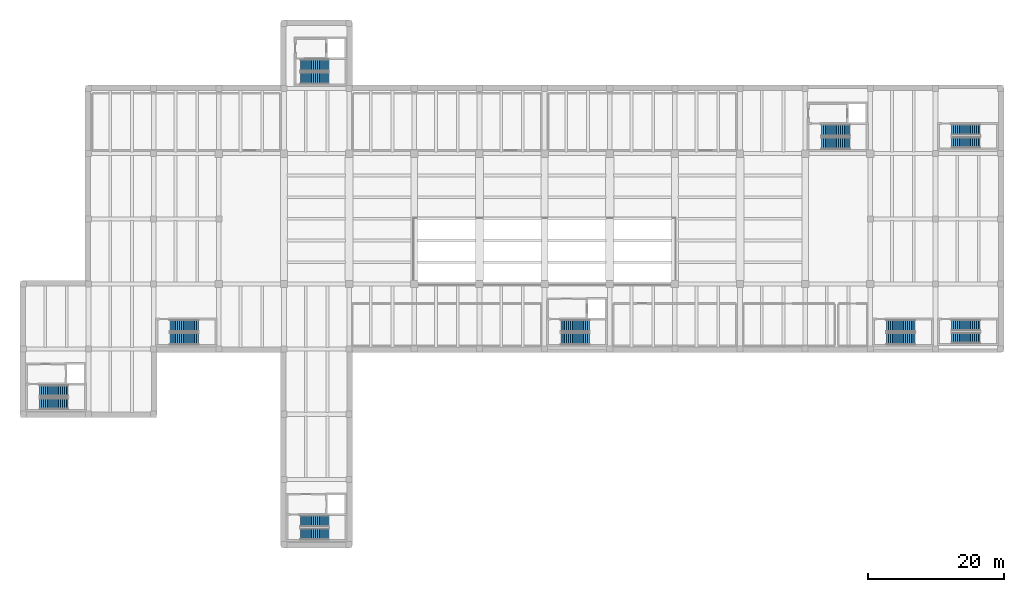
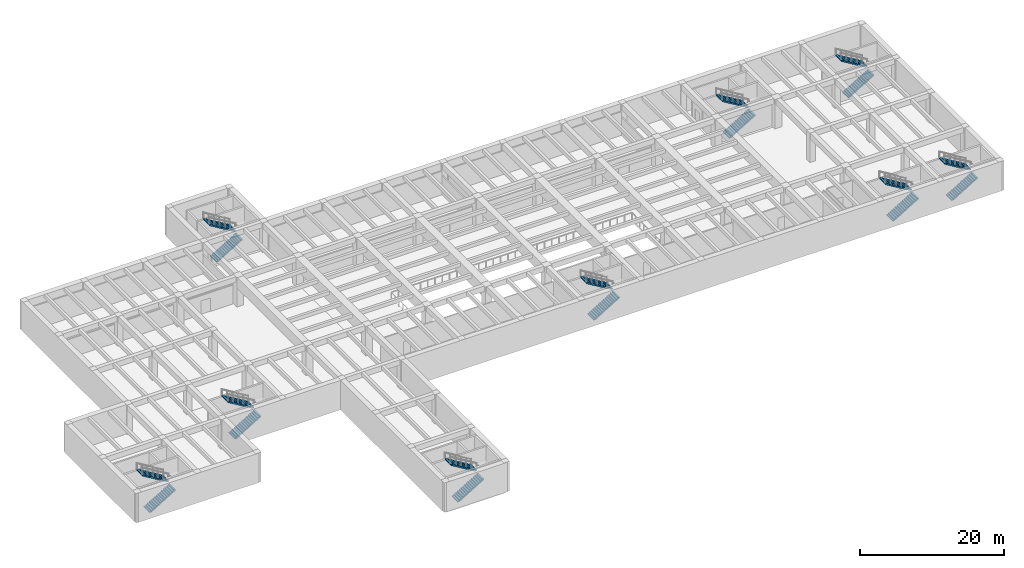
# One storey, part 11 of 19: 18 stair flights, 9 elements without a shape of their own.
"""IFC4 building model written with IfcOpenShell, lengths in metres."""

from ifc_helpers import new_model, si_unit, direction, frame, origin, place, context, subcontext, project, spatial, polyline, outline, extrude, material, type_object, element, aggregate, save


model = new_model("IFC4")

# Units and contexts
model_context = context("Model", 3, precision=1e-05, world=origin(), true_north=direction((0.0, 1.0)))
body_context = subcontext(model_context, "Body", "Model", "MODEL_VIEW")
ifc_project = project(units=[si_unit("LENGTHUNIT", "METRE"), si_unit("AREAUNIT", "SQUARE_METRE"), si_unit("VOLUMEUNIT", "CUBIC_METRE"), si_unit("PLANEANGLEUNIT", "RADIAN"), si_unit("MASSUNIT", "GRAM", prefix="KILO")], contexts=[model_context])

# Site, building, storey
site_placement = place(None, origin())
site = spatial("IfcSite", under=ifc_project, at=site_placement, CompositionType="ELEMENT")
building_placement = place(site_placement, origin())
building = spatial("IfcBuilding", under=site, at=building_placement, Name="Coralgate Yard Interchange", CompositionType="ELEMENT")
storey_placement = place(building_placement, frame((0.0, 0.0, -5.39990234375)))
storey = spatial("IfcBuildingStorey", under=building, at=storey_placement, Name="B1", CompositionType="ELEMENT", Elevation=-5.39990234375)

# Stair, stair flights
ifc_material = material(Name="Concrete C40/50", Category="concrete")
stair_type_1 = type_object("IfcStairType", Name="STR-DL-158-54", PredefinedType="HALF_TURN_STAIR", material=ifc_material)
stair_1_placement = place(storey_placement, origin())
stair_1 = element("IfcStair", 1, at=stair_1_placement, inside=storey, type_object=stair_type_1, Name="B1 Escape stair ST-10", PredefinedType="HALF_TURN_STAIR")
stair_flight_type_1 = type_object("IfcStairFlightType", Name="STF-DL-158-54", PredefinedType="STRAIGHT", material=ifc_material)
stair_flight_1_placement = place(storey_placement, frame((146.39990234375, 40.050048828125, 0.0), z_axis=(0.0, 0.0, 1.0), x_axis=(1.0, 0.0, 0.0)))
stair_flight_1 = element("IfcStairFlight", 2, at=stair_flight_1_placement, type_object=stair_flight_type_1, Name="ST-10 flight 1", NumberOfRisers=16, NumberOfTreads=15, PredefinedType="STRAIGHT", RiserHeight=0.16875, TreadLength=0.28, context=body_context, shape_type="SweptSolid", body=[
    extrude(outline(polyline([(0.0, 0.0), (0.0, 0.168701171875), (0.280029296875, 0.168701171875), (0.280029296875, 0.33740234375), (0.56005859375, 0.33740234375), (0.56005859375, 0.50634765625), (0.840087890625, 0.50634765625), (0.840087890625, 0.675048828125), (1.1201171875, 0.675048828125), (1.1201171875, 0.84375), (1.39990234375, 0.84375), (1.39990234375, 1.012451171875), (1.679931640625, 1.012451171875), (1.679931640625, 1.18115234375), (1.9599609375, 1.18115234375), (1.9599609375, 1.35009765625), (2.239990234375, 1.35009765625), (2.239990234375, 1.518798828125), (2.52001953125, 1.518798828125), (2.52001953125, 1.6875), (2.800048828125, 1.6875), (2.800048828125, 1.856201171875), (3.080078125, 1.856201171875), (3.080078125, 2.02490234375), (3.360107421875, 2.02490234375), (3.360107421875, 2.19384765625), (3.639892578125, 2.19384765625), (3.639892578125, 2.362548828125), (3.919921875, 2.362548828125), (3.919921875, 2.53125), (4.199951171875, 2.53125), (4.199951171875, 2.699951171875), (4.199951171875, 2.344482421875), (0.309814453125, 0.0), (0.0, 0.0)])), frame((0.0, 0.7900390625, 0.0), z_axis=(0.0, -1.0, 0.0), x_axis=(1.0, 0.0, 0.0)), (0.0, 0.0, 1.0), 1.580078125),
])
stair_flight_2_placement = place(storey_placement, frame((150.60009765625, 41.919921875, 2.699951171875), z_axis=(0.0, 0.0, 1.0), x_axis=(-1.0, 0.0, 0.0)))
stair_flight_2 = element("IfcStairFlight", 3, at=stair_flight_2_placement, type_object=stair_flight_type_1, Name="ST-10 flight 2", NumberOfRisers=16, NumberOfTreads=15, PredefinedType="STRAIGHT", RiserHeight=0.16875, TreadLength=0.28, context=body_context, shape_type="SweptSolid", body=[
    extrude(outline(polyline([(0.0, 0.0), (0.0, 0.168701171875), (0.280029296875, 0.168701171875), (0.280029296875, 0.33740234375), (0.56005859375, 0.33740234375), (0.56005859375, 0.50634765625), (0.840087890625, 0.50634765625), (0.840087890625, 0.675048828125), (1.1201171875, 0.675048828125), (1.1201171875, 0.84375), (1.39990234375, 0.84375), (1.39990234375, 1.012451171875), (1.679931640625, 1.012451171875), (1.679931640625, 1.18115234375), (1.9599609375, 1.18115234375), (1.9599609375, 1.35009765625), (2.239990234375, 1.35009765625), (2.239990234375, 1.518798828125), (2.52001953125, 1.518798828125), (2.52001953125, 1.6875), (2.800048828125, 1.6875), (2.800048828125, 1.856201171875), (3.080078125, 1.856201171875), (3.080078125, 2.02490234375), (3.360107421875, 2.02490234375), (3.360107421875, 2.19384765625), (3.639892578125, 2.19384765625), (3.639892578125, 2.362548828125), (3.919921875, 2.362548828125), (3.919921875, 2.53125), (4.199951171875, 2.53125), (4.199951171875, 2.699951171875), (4.199951171875, 2.344482421875), (0.309814453125, 0.0), (0.0, 0.0)])), frame((0.0, 0.7900390625, 0.0), z_axis=(0.0, -1.0, 0.0), x_axis=(1.0, 0.0, 0.0)), (0.0, 0.0, 1.0), 1.580078125),
])
aggregate(stair_1, [stair_flight_1, stair_flight_2])

stair_2_placement = place(storey_placement, origin())
stair_2 = element("IfcStair", 4, at=stair_2_placement, inside=storey, type_object=stair_type_1, Name="B1 Escape stair ST-11", PredefinedType="HALF_TURN_STAIR")
stair_flight_3_placement = place(storey_placement, frame((146.39990234375, 68.85009765625, 0.0), z_axis=(0.0, 0.0, 1.0), x_axis=(1.0, 0.0, 0.0)))
stair_flight_3 = element("IfcStairFlight", 5, at=stair_flight_3_placement, type_object=stair_flight_type_1, Name="ST-11 flight 1", NumberOfRisers=16, NumberOfTreads=15, PredefinedType="STRAIGHT", RiserHeight=0.16875, TreadLength=0.28, context=body_context, shape_type="SweptSolid", body=[
    extrude(outline(polyline([(0.0, 0.0), (0.0, 0.168701171875), (0.280029296875, 0.168701171875), (0.280029296875, 0.33740234375), (0.56005859375, 0.33740234375), (0.56005859375, 0.50634765625), (0.840087890625, 0.50634765625), (0.840087890625, 0.675048828125), (1.1201171875, 0.675048828125), (1.1201171875, 0.84375), (1.39990234375, 0.84375), (1.39990234375, 1.012451171875), (1.679931640625, 1.012451171875), (1.679931640625, 1.18115234375), (1.9599609375, 1.18115234375), (1.9599609375, 1.35009765625), (2.239990234375, 1.35009765625), (2.239990234375, 1.518798828125), (2.52001953125, 1.518798828125), (2.52001953125, 1.6875), (2.800048828125, 1.6875), (2.800048828125, 1.856201171875), (3.080078125, 1.856201171875), (3.080078125, 2.02490234375), (3.360107421875, 2.02490234375), (3.360107421875, 2.19384765625), (3.639892578125, 2.19384765625), (3.639892578125, 2.362548828125), (3.919921875, 2.362548828125), (3.919921875, 2.53125), (4.199951171875, 2.53125), (4.199951171875, 2.699951171875), (4.199951171875, 2.344482421875), (0.309814453125, 0.0), (0.0, 0.0)])), frame((0.0, 0.7900390625, 0.0), z_axis=(0.0, -1.0, 0.0), x_axis=(1.0, 0.0, 0.0)), (0.0, 0.0, 1.0), 1.580078125),
])
stair_flight_4_placement = place(storey_placement, frame((150.60009765625, 70.719970703125, 2.699951171875), z_axis=(0.0, 0.0, 1.0), x_axis=(-1.0, 0.0, 0.0)))
stair_flight_4 = element("IfcStairFlight", 6, at=stair_flight_4_placement, type_object=stair_flight_type_1, Name="ST-11 flight 2", NumberOfRisers=16, NumberOfTreads=15, PredefinedType="STRAIGHT", RiserHeight=0.16875, TreadLength=0.28, context=body_context, shape_type="SweptSolid", body=[
    extrude(outline(polyline([(0.0, 0.0), (0.0, 0.168701171875), (0.280029296875, 0.168701171875), (0.280029296875, 0.33740234375), (0.56005859375, 0.33740234375), (0.56005859375, 0.50634765625), (0.840087890625, 0.50634765625), (0.840087890625, 0.675048828125), (1.1201171875, 0.675048828125), (1.1201171875, 0.84375), (1.39990234375, 0.84375), (1.39990234375, 1.012451171875), (1.679931640625, 1.012451171875), (1.679931640625, 1.18115234375), (1.9599609375, 1.18115234375), (1.9599609375, 1.35009765625), (2.239990234375, 1.35009765625), (2.239990234375, 1.518798828125), (2.52001953125, 1.518798828125), (2.52001953125, 1.6875), (2.800048828125, 1.6875), (2.800048828125, 1.856201171875), (3.080078125, 1.856201171875), (3.080078125, 2.02490234375), (3.360107421875, 2.02490234375), (3.360107421875, 2.19384765625), (3.639892578125, 2.19384765625), (3.639892578125, 2.362548828125), (3.919921875, 2.362548828125), (3.919921875, 2.53125), (4.199951171875, 2.53125), (4.199951171875, 2.699951171875), (4.199951171875, 2.344482421875), (0.309814453125, 0.0), (0.0, 0.0)])), frame((0.0, 0.7900390625, 0.0), z_axis=(0.0, -1.0, 0.0), x_axis=(1.0, 0.0, 0.0)), (0.0, 0.0, 1.0), 1.580078125),
])
aggregate(stair_2, [stair_flight_3, stair_flight_4])

stair_type_2 = type_object("IfcStairType", Name="STR-DL-165-54", PredefinedType="HALF_TURN_STAIR", material=ifc_material)
stair_3_placement = place(storey_placement, origin())
stair_3 = element("IfcStair", 7, at=stair_3_placement, inside=storey, type_object=stair_type_2, Name="B1 Escape stair ST-01", PredefinedType="HALF_TURN_STAIR")
stair_flight_type_2 = type_object("IfcStairFlightType", Name="STF-DL-165-54", PredefinedType="STRAIGHT", material=ifc_material)
stair_flight_5_placement = place(storey_placement, frame((12.0, 30.344970703125, 0.0), z_axis=(0.0, 0.0, 1.0), x_axis=(1.0, 0.0, 0.0)))
stair_flight_5 = element("IfcStairFlight", 8, at=stair_flight_5_placement, type_object=stair_flight_type_2, Name="ST-01 flight 1", NumberOfRisers=16, NumberOfTreads=15, PredefinedType="STRAIGHT", RiserHeight=0.16875, TreadLength=0.28, context=body_context, shape_type="SweptSolid", body=[
    extrude(outline(polyline([(0.0, 0.0), (0.0, 0.168701171875), (0.280029296875, 0.168701171875), (0.280029296875, 0.33740234375), (0.56005859375, 0.33740234375), (0.56005859375, 0.50634765625), (0.840087890625, 0.50634765625), (0.840087890625, 0.675048828125), (1.1201171875, 0.675048828125), (1.1201171875, 0.84375), (1.39990234375, 0.84375), (1.39990234375, 1.012451171875), (1.679931640625, 1.012451171875), (1.679931640625, 1.18115234375), (1.9599609375, 1.18115234375), (1.9599609375, 1.35009765625), (2.239990234375, 1.35009765625), (2.239990234375, 1.518798828125), (2.52001953125, 1.518798828125), (2.52001953125, 1.6875), (2.800048828125, 1.6875), (2.800048828125, 1.856201171875), (3.080078125, 1.856201171875), (3.080078125, 2.02490234375), (3.360107421875, 2.02490234375), (3.360107421875, 2.19384765625), (3.639892578125, 2.19384765625), (3.639892578125, 2.362548828125), (3.919921875, 2.362548828125), (3.919921875, 2.53125), (4.199951171875, 2.53125), (4.199951171875, 2.699951171875), (4.199951171875, 2.344482421875), (0.309814453125, 0.0), (0.0, 0.0)])), frame((0.0, 0.824951171875, 0.0), z_axis=(0.0, -1.0, 0.0), x_axis=(1.0, 0.0, 0.0)), (0.0, 0.0, 1.0), 1.64990234375),
])
stair_flight_6_placement = place(storey_placement, frame((16.199951171875, 32.284912109375, 2.699951171875), z_axis=(0.0, 0.0, 1.0), x_axis=(-1.0, 0.0, 0.0)))
stair_flight_6 = element("IfcStairFlight", 9, at=stair_flight_6_placement, type_object=stair_flight_type_2, Name="ST-01 flight 2", NumberOfRisers=16, NumberOfTreads=15, PredefinedType="STRAIGHT", RiserHeight=0.16875, TreadLength=0.28, context=body_context, shape_type="SweptSolid", body=[
    extrude(outline(polyline([(0.0, 0.0), (0.0, 0.168701171875), (0.280029296875, 0.168701171875), (0.280029296875, 0.33740234375), (0.56005859375, 0.33740234375), (0.56005859375, 0.50634765625), (0.840087890625, 0.50634765625), (0.840087890625, 0.675048828125), (1.1201171875, 0.675048828125), (1.1201171875, 0.84375), (1.39990234375, 0.84375), (1.39990234375, 1.012451171875), (1.679931640625, 1.012451171875), (1.679931640625, 1.18115234375), (1.9599609375, 1.18115234375), (1.9599609375, 1.35009765625), (2.239990234375, 1.35009765625), (2.239990234375, 1.518798828125), (2.52001953125, 1.518798828125), (2.52001953125, 1.6875), (2.800048828125, 1.6875), (2.800048828125, 1.856201171875), (3.080078125, 1.856201171875), (3.080078125, 2.02490234375), (3.360107421875, 2.02490234375), (3.360107421875, 2.19384765625), (3.639892578125, 2.19384765625), (3.639892578125, 2.362548828125), (3.919921875, 2.362548828125), (3.919921875, 2.53125), (4.199951171875, 2.53125), (4.199951171875, 2.699951171875), (4.199951171875, 2.344482421875), (0.309814453125, 0.0), (0.0, 0.0)])), frame((0.0, 0.824951171875, 0.0), z_axis=(0.0, -1.0, 0.0), x_axis=(1.0, 0.0, 0.0)), (0.0, 0.0, 1.0), 1.64990234375),
])
aggregate(stair_3, [stair_flight_5, stair_flight_6])

stair_4_placement = place(storey_placement, origin())
stair_4 = element("IfcStair", 10, at=stair_4_placement, inside=storey, type_object=stair_type_2, Name="B1 Escape stair ST-02", PredefinedType="HALF_TURN_STAIR")
stair_flight_7_placement = place(storey_placement, frame((50.39990234375, 11.14501953125, 0.0), z_axis=(0.0, 0.0, 1.0), x_axis=(1.0, 0.0, 0.0)))
stair_flight_7 = element("IfcStairFlight", 11, at=stair_flight_7_placement, type_object=stair_flight_type_2, Name="ST-02 flight 1", NumberOfRisers=16, NumberOfTreads=15, PredefinedType="STRAIGHT", RiserHeight=0.16875, TreadLength=0.28, context=body_context, shape_type="SweptSolid", body=[
    extrude(outline(polyline([(0.0, 0.0), (0.0, 0.168701171875), (0.280029296875, 0.168701171875), (0.280029296875, 0.33740234375), (0.56005859375, 0.33740234375), (0.56005859375, 0.50634765625), (0.840087890625, 0.50634765625), (0.840087890625, 0.675048828125), (1.1201171875, 0.675048828125), (1.1201171875, 0.84375), (1.39990234375, 0.84375), (1.39990234375, 1.012451171875), (1.679931640625, 1.012451171875), (1.679931640625, 1.18115234375), (1.9599609375, 1.18115234375), (1.9599609375, 1.35009765625), (2.239990234375, 1.35009765625), (2.239990234375, 1.518798828125), (2.52001953125, 1.518798828125), (2.52001953125, 1.6875), (2.800048828125, 1.6875), (2.800048828125, 1.856201171875), (3.080078125, 1.856201171875), (3.080078125, 2.02490234375), (3.360107421875, 2.02490234375), (3.360107421875, 2.19384765625), (3.639892578125, 2.19384765625), (3.639892578125, 2.362548828125), (3.919921875, 2.362548828125), (3.919921875, 2.53125), (4.199951171875, 2.53125), (4.199951171875, 2.699951171875), (4.199951171875, 2.344482421875), (0.309814453125, 0.0), (0.0, 0.0)])), frame((0.0, 0.824951171875, 0.0), z_axis=(0.0, -1.0, 0.0), x_axis=(1.0, 0.0, 0.0)), (0.0, 0.0, 1.0), 1.64990234375),
])
stair_flight_8_placement = place(storey_placement, frame((54.60009765625, 13.0849609375, 2.699951171875), z_axis=(0.0, 0.0, 1.0), x_axis=(-1.0, 0.0, 0.0)))
stair_flight_8 = element("IfcStairFlight", 12, at=stair_flight_8_placement, type_object=stair_flight_type_2, Name="ST-02 flight 2", NumberOfRisers=16, NumberOfTreads=15, PredefinedType="STRAIGHT", RiserHeight=0.16875, TreadLength=0.28, context=body_context, shape_type="SweptSolid", body=[
    extrude(outline(polyline([(0.0, 0.0), (0.0, 0.168701171875), (0.280029296875, 0.168701171875), (0.280029296875, 0.33740234375), (0.56005859375, 0.33740234375), (0.56005859375, 0.50634765625), (0.840087890625, 0.50634765625), (0.840087890625, 0.675048828125), (1.1201171875, 0.675048828125), (1.1201171875, 0.84375), (1.39990234375, 0.84375), (1.39990234375, 1.012451171875), (1.679931640625, 1.012451171875), (1.679931640625, 1.18115234375), (1.9599609375, 1.18115234375), (1.9599609375, 1.35009765625), (2.239990234375, 1.35009765625), (2.239990234375, 1.518798828125), (2.52001953125, 1.518798828125), (2.52001953125, 1.6875), (2.800048828125, 1.6875), (2.800048828125, 1.856201171875), (3.080078125, 1.856201171875), (3.080078125, 2.02490234375), (3.360107421875, 2.02490234375), (3.360107421875, 2.19384765625), (3.639892578125, 2.19384765625), (3.639892578125, 2.362548828125), (3.919921875, 2.362548828125), (3.919921875, 2.53125), (4.199951171875, 2.53125), (4.199951171875, 2.699951171875), (4.199951171875, 2.344482421875), (0.309814453125, 0.0), (0.0, 0.0)])), frame((0.0, 0.824951171875, 0.0), z_axis=(0.0, -1.0, 0.0), x_axis=(1.0, 0.0, 0.0)), (0.0, 0.0, 1.0), 1.64990234375),
])
aggregate(stair_4, [stair_flight_7, stair_flight_8])

stair_type_3 = type_object("IfcStairType", Name="STR-DL-175-54", PredefinedType="HALF_TURN_STAIR", material=ifc_material)
stair_5_placement = place(storey_placement, origin())
stair_5 = element("IfcStair", 13, at=stair_5_placement, inside=storey, type_object=stair_type_3, Name="B1 Escape stair ST-12", PredefinedType="HALF_TURN_STAIR")
stair_flight_type_3 = type_object("IfcStairFlightType", Name="STF-DL-175-54", PredefinedType="STRAIGHT", material=ifc_material)
stair_flight_9_placement = place(storey_placement, frame((31.199951171875, 39.925048828125, 0.0), z_axis=(0.0, 0.0, 1.0), x_axis=(1.0, 0.0, 0.0)))
stair_flight_9 = element("IfcStairFlight", 14, at=stair_flight_9_placement, type_object=stair_flight_type_3, Name="ST-12 flight 1", NumberOfRisers=16, NumberOfTreads=15, PredefinedType="STRAIGHT", RiserHeight=0.16875, TreadLength=0.28, context=body_context, shape_type="SweptSolid", body=[
    extrude(outline(polyline([(0.0, 0.0), (0.0, 0.168701171875), (0.280029296875, 0.168701171875), (0.280029296875, 0.33740234375), (0.56005859375, 0.33740234375), (0.56005859375, 0.50634765625), (0.840087890625, 0.50634765625), (0.840087890625, 0.675048828125), (1.1201171875, 0.675048828125), (1.1201171875, 0.84375), (1.39990234375, 0.84375), (1.39990234375, 1.012451171875), (1.679931640625, 1.012451171875), (1.679931640625, 1.18115234375), (1.9599609375, 1.18115234375), (1.9599609375, 1.35009765625), (2.239990234375, 1.35009765625), (2.239990234375, 1.518798828125), (2.52001953125, 1.518798828125), (2.52001953125, 1.6875), (2.800048828125, 1.6875), (2.800048828125, 1.856201171875), (3.080078125, 1.856201171875), (3.080078125, 2.02490234375), (3.360107421875, 2.02490234375), (3.360107421875, 2.19384765625), (3.639892578125, 2.19384765625), (3.639892578125, 2.362548828125), (3.919921875, 2.362548828125), (3.919921875, 2.53125), (4.199951171875, 2.53125), (4.199951171875, 2.699951171875), (4.199951171875, 2.344482421875), (0.309814453125, 0.0), (0.0, 0.0)])), frame((0.0, 0.875, 0.0), z_axis=(0.0, -1.0, 0.0), x_axis=(1.0, 0.0, 0.0)), (0.0, 0.0, 1.0), 1.75),
])
stair_flight_10_placement = place(storey_placement, frame((35.39990234375, 41.8349609375, 2.699951171875), z_axis=(0.0, 0.0, 1.0), x_axis=(-1.0, 0.0, 0.0)))
stair_flight_10 = element("IfcStairFlight", 15, at=stair_flight_10_placement, type_object=stair_flight_type_3, Name="ST-12 flight 2", NumberOfRisers=16, NumberOfTreads=15, PredefinedType="STRAIGHT", RiserHeight=0.16875, TreadLength=0.28, context=body_context, shape_type="SweptSolid", body=[
    extrude(outline(polyline([(0.0, 0.0), (0.0, 0.168701171875), (0.280029296875, 0.168701171875), (0.280029296875, 0.33740234375), (0.56005859375, 0.33740234375), (0.56005859375, 0.50634765625), (0.840087890625, 0.50634765625), (0.840087890625, 0.675048828125), (1.1201171875, 0.675048828125), (1.1201171875, 0.84375), (1.39990234375, 0.84375), (1.39990234375, 1.012451171875), (1.679931640625, 1.012451171875), (1.679931640625, 1.18115234375), (1.9599609375, 1.18115234375), (1.9599609375, 1.35009765625), (2.239990234375, 1.35009765625), (2.239990234375, 1.518798828125), (2.52001953125, 1.518798828125), (2.52001953125, 1.6875), (2.800048828125, 1.6875), (2.800048828125, 1.856201171875), (3.080078125, 1.856201171875), (3.080078125, 2.02490234375), (3.360107421875, 2.02490234375), (3.360107421875, 2.19384765625), (3.639892578125, 2.19384765625), (3.639892578125, 2.362548828125), (3.919921875, 2.362548828125), (3.919921875, 2.53125), (4.199951171875, 2.53125), (4.199951171875, 2.699951171875), (4.199951171875, 2.344482421875), (0.309814453125, 0.0), (0.0, 0.0)])), frame((0.0, 0.875, 0.0), z_axis=(0.0, -1.0, 0.0), x_axis=(1.0, 0.0, 0.0)), (0.0, 0.0, 1.0), 1.75),
])
aggregate(stair_5, [stair_flight_9, stair_flight_10])

stair_6_placement = place(storey_placement, origin())
stair_6 = element("IfcStair", 16, at=stair_6_placement, inside=storey, type_object=stair_type_3, Name="B1 Escape stair ST-13", PredefinedType="HALF_TURN_STAIR")
stair_flight_11_placement = place(storey_placement, frame((136.800048828125, 39.925048828125, 0.0), z_axis=(0.0, 0.0, 1.0), x_axis=(1.0, 0.0, 0.0)))
stair_flight_11 = element("IfcStairFlight", 17, at=stair_flight_11_placement, type_object=stair_flight_type_3, Name="ST-13 flight 1", NumberOfRisers=16, NumberOfTreads=15, PredefinedType="STRAIGHT", RiserHeight=0.16875, TreadLength=0.28, context=body_context, shape_type="SweptSolid", body=[
    extrude(outline(polyline([(0.0, 0.0), (0.0, 0.168701171875), (0.280029296875, 0.168701171875), (0.280029296875, 0.33740234375), (0.56005859375, 0.33740234375), (0.56005859375, 0.50634765625), (0.840087890625, 0.50634765625), (0.840087890625, 0.675048828125), (1.1201171875, 0.675048828125), (1.1201171875, 0.84375), (1.39990234375, 0.84375), (1.39990234375, 1.012451171875), (1.679931640625, 1.012451171875), (1.679931640625, 1.18115234375), (1.9599609375, 1.18115234375), (1.9599609375, 1.35009765625), (2.239990234375, 1.35009765625), (2.239990234375, 1.518798828125), (2.52001953125, 1.518798828125), (2.52001953125, 1.6875), (2.800048828125, 1.6875), (2.800048828125, 1.856201171875), (3.080078125, 1.856201171875), (3.080078125, 2.02490234375), (3.360107421875, 2.02490234375), (3.360107421875, 2.19384765625), (3.639892578125, 2.19384765625), (3.639892578125, 2.362548828125), (3.919921875, 2.362548828125), (3.919921875, 2.53125), (4.199951171875, 2.53125), (4.199951171875, 2.699951171875), (4.199951171875, 2.344482421875), (0.309814453125, 0.0), (0.0, 0.0)])), frame((0.0, 0.875, 0.0), z_axis=(0.0, -1.0, 0.0), x_axis=(1.0, 0.0, 0.0)), (0.0, 0.0, 1.0), 1.75),
])
stair_flight_12_placement = place(storey_placement, frame((141.0, 41.8349609375, 2.699951171875), z_axis=(0.0, 0.0, 1.0), x_axis=(-1.0, 0.0, 0.0)))
stair_flight_12 = element("IfcStairFlight", 18, at=stair_flight_12_placement, type_object=stair_flight_type_3, Name="ST-13 flight 2", NumberOfRisers=16, NumberOfTreads=15, PredefinedType="STRAIGHT", RiserHeight=0.16875, TreadLength=0.28, context=body_context, shape_type="SweptSolid", body=[
    extrude(outline(polyline([(0.0, 0.0), (0.0, 0.168701171875), (0.280029296875, 0.168701171875), (0.280029296875, 0.33740234375), (0.56005859375, 0.33740234375), (0.56005859375, 0.50634765625), (0.840087890625, 0.50634765625), (0.840087890625, 0.675048828125), (1.1201171875, 0.675048828125), (1.1201171875, 0.84375), (1.39990234375, 0.84375), (1.39990234375, 1.012451171875), (1.679931640625, 1.012451171875), (1.679931640625, 1.18115234375), (1.9599609375, 1.18115234375), (1.9599609375, 1.35009765625), (2.239990234375, 1.35009765625), (2.239990234375, 1.518798828125), (2.52001953125, 1.518798828125), (2.52001953125, 1.6875), (2.800048828125, 1.6875), (2.800048828125, 1.856201171875), (3.080078125, 1.856201171875), (3.080078125, 2.02490234375), (3.360107421875, 2.02490234375), (3.360107421875, 2.19384765625), (3.639892578125, 2.19384765625), (3.639892578125, 2.362548828125), (3.919921875, 2.362548828125), (3.919921875, 2.53125), (4.199951171875, 2.53125), (4.199951171875, 2.699951171875), (4.199951171875, 2.344482421875), (0.309814453125, 0.0), (0.0, 0.0)])), frame((0.0, 0.875, 0.0), z_axis=(0.0, -1.0, 0.0), x_axis=(1.0, 0.0, 0.0)), (0.0, 0.0, 1.0), 1.75),
])
aggregate(stair_6, [stair_flight_11, stair_flight_12])

stair_7_placement = place(storey_placement, origin())
stair_7 = element("IfcStair", 19, at=stair_7_placement, inside=storey, type_object=stair_type_3, Name="B1 Escape stair ST-05", PredefinedType="HALF_TURN_STAIR")
stair_flight_13_placement = place(storey_placement, frame((50.39990234375, 78.324951171875, 0.0), z_axis=(0.0, 0.0, 1.0), x_axis=(1.0, 0.0, 0.0)))
stair_flight_13 = element("IfcStairFlight", 20, at=stair_flight_13_placement, type_object=stair_flight_type_3, Name="ST-05 flight 1", NumberOfRisers=16, NumberOfTreads=15, PredefinedType="STRAIGHT", RiserHeight=0.16875, TreadLength=0.28, context=body_context, shape_type="SweptSolid", body=[
    extrude(outline(polyline([(0.0, 0.0), (0.0, 0.168701171875), (0.280029296875, 0.168701171875), (0.280029296875, 0.33740234375), (0.56005859375, 0.33740234375), (0.56005859375, 0.50634765625), (0.840087890625, 0.50634765625), (0.840087890625, 0.675048828125), (1.1201171875, 0.675048828125), (1.1201171875, 0.84375), (1.39990234375, 0.84375), (1.39990234375, 1.012451171875), (1.679931640625, 1.012451171875), (1.679931640625, 1.18115234375), (1.9599609375, 1.18115234375), (1.9599609375, 1.35009765625), (2.239990234375, 1.35009765625), (2.239990234375, 1.518798828125), (2.52001953125, 1.518798828125), (2.52001953125, 1.6875), (2.800048828125, 1.6875), (2.800048828125, 1.856201171875), (3.080078125, 1.856201171875), (3.080078125, 2.02490234375), (3.360107421875, 2.02490234375), (3.360107421875, 2.19384765625), (3.639892578125, 2.19384765625), (3.639892578125, 2.362548828125), (3.919921875, 2.362548828125), (3.919921875, 2.53125), (4.199951171875, 2.53125), (4.199951171875, 2.699951171875), (4.199951171875, 2.344482421875), (0.309814453125, 0.0), (0.0, 0.0)])), frame((0.0, 0.875, 0.0), z_axis=(0.0, -1.0, 0.0), x_axis=(1.0, 0.0, 0.0)), (0.0, 0.0, 1.0), 1.75),
])
stair_flight_14_placement = place(storey_placement, frame((54.60009765625, 80.235107421875, 2.699951171875), z_axis=(0.0, 0.0, 1.0), x_axis=(-1.0, 0.0, 0.0)))
stair_flight_14 = element("IfcStairFlight", 21, at=stair_flight_14_placement, type_object=stair_flight_type_3, Name="ST-05 flight 2", NumberOfRisers=16, NumberOfTreads=15, PredefinedType="STRAIGHT", RiserHeight=0.16875, TreadLength=0.28, context=body_context, shape_type="SweptSolid", body=[
    extrude(outline(polyline([(0.0, 0.0), (0.0, 0.168701171875), (0.280029296875, 0.168701171875), (0.280029296875, 0.33740234375), (0.56005859375, 0.33740234375), (0.56005859375, 0.50634765625), (0.840087890625, 0.50634765625), (0.840087890625, 0.675048828125), (1.1201171875, 0.675048828125), (1.1201171875, 0.84375), (1.39990234375, 0.84375), (1.39990234375, 1.012451171875), (1.679931640625, 1.012451171875), (1.679931640625, 1.18115234375), (1.9599609375, 1.18115234375), (1.9599609375, 1.35009765625), (2.239990234375, 1.35009765625), (2.239990234375, 1.518798828125), (2.52001953125, 1.518798828125), (2.52001953125, 1.6875), (2.800048828125, 1.6875), (2.800048828125, 1.856201171875), (3.080078125, 1.856201171875), (3.080078125, 2.02490234375), (3.360107421875, 2.02490234375), (3.360107421875, 2.19384765625), (3.639892578125, 2.19384765625), (3.639892578125, 2.362548828125), (3.919921875, 2.362548828125), (3.919921875, 2.53125), (4.199951171875, 2.53125), (4.199951171875, 2.699951171875), (4.199951171875, 2.344482421875), (0.309814453125, 0.0), (0.0, 0.0)])), frame((0.0, 0.875, 0.0), z_axis=(0.0, -1.0, 0.0), x_axis=(1.0, 0.0, 0.0)), (0.0, 0.0, 1.0), 1.75),
])
aggregate(stair_7, [stair_flight_13, stair_flight_14])

stair_8_placement = place(storey_placement, origin())
stair_8 = element("IfcStair", 22, at=stair_8_placement, inside=storey, type_object=stair_type_3, Name="B1 Escape stair ST-06", PredefinedType="HALF_TURN_STAIR")
stair_flight_15_placement = place(storey_placement, frame((88.800048828125, 39.925048828125, 0.0), z_axis=(0.0, 0.0, 1.0), x_axis=(1.0, 0.0, 0.0)))
stair_flight_15 = element("IfcStairFlight", 23, at=stair_flight_15_placement, type_object=stair_flight_type_3, Name="ST-06 flight 1", NumberOfRisers=16, NumberOfTreads=15, PredefinedType="STRAIGHT", RiserHeight=0.16875, TreadLength=0.28, context=body_context, shape_type="SweptSolid", body=[
    extrude(outline(polyline([(0.0, 0.0), (0.0, 0.168701171875), (0.280029296875, 0.168701171875), (0.280029296875, 0.33740234375), (0.56005859375, 0.33740234375), (0.56005859375, 0.50634765625), (0.840087890625, 0.50634765625), (0.840087890625, 0.675048828125), (1.1201171875, 0.675048828125), (1.1201171875, 0.84375), (1.39990234375, 0.84375), (1.39990234375, 1.012451171875), (1.679931640625, 1.012451171875), (1.679931640625, 1.18115234375), (1.9599609375, 1.18115234375), (1.9599609375, 1.35009765625), (2.239990234375, 1.35009765625), (2.239990234375, 1.518798828125), (2.52001953125, 1.518798828125), (2.52001953125, 1.6875), (2.800048828125, 1.6875), (2.800048828125, 1.856201171875), (3.080078125, 1.856201171875), (3.080078125, 2.02490234375), (3.360107421875, 2.02490234375), (3.360107421875, 2.19384765625), (3.639892578125, 2.19384765625), (3.639892578125, 2.362548828125), (3.919921875, 2.362548828125), (3.919921875, 2.53125), (4.199951171875, 2.53125), (4.199951171875, 2.699951171875), (4.199951171875, 2.344482421875), (0.309814453125, 0.0), (0.0, 0.0)])), frame((0.0, 0.875, 0.0), z_axis=(0.0, -1.0, 0.0), x_axis=(1.0, 0.0, 0.0)), (0.0, 0.0, 1.0), 1.75),
])
stair_flight_16_placement = place(storey_placement, frame((93.0, 41.8349609375, 2.699951171875), z_axis=(0.0, 0.0, 1.0), x_axis=(-1.0, 0.0, 0.0)))
stair_flight_16 = element("IfcStairFlight", 24, at=stair_flight_16_placement, type_object=stair_flight_type_3, Name="ST-06 flight 2", NumberOfRisers=16, NumberOfTreads=15, PredefinedType="STRAIGHT", RiserHeight=0.16875, TreadLength=0.28, context=body_context, shape_type="SweptSolid", body=[
    extrude(outline(polyline([(0.0, 0.0), (0.0, 0.168701171875), (0.280029296875, 0.168701171875), (0.280029296875, 0.33740234375), (0.56005859375, 0.33740234375), (0.56005859375, 0.50634765625), (0.840087890625, 0.50634765625), (0.840087890625, 0.675048828125), (1.1201171875, 0.675048828125), (1.1201171875, 0.84375), (1.39990234375, 0.84375), (1.39990234375, 1.012451171875), (1.679931640625, 1.012451171875), (1.679931640625, 1.18115234375), (1.9599609375, 1.18115234375), (1.9599609375, 1.35009765625), (2.239990234375, 1.35009765625), (2.239990234375, 1.518798828125), (2.52001953125, 1.518798828125), (2.52001953125, 1.6875), (2.800048828125, 1.6875), (2.800048828125, 1.856201171875), (3.080078125, 1.856201171875), (3.080078125, 2.02490234375), (3.360107421875, 2.02490234375), (3.360107421875, 2.19384765625), (3.639892578125, 2.19384765625), (3.639892578125, 2.362548828125), (3.919921875, 2.362548828125), (3.919921875, 2.53125), (4.199951171875, 2.53125), (4.199951171875, 2.699951171875), (4.199951171875, 2.344482421875), (0.309814453125, 0.0), (0.0, 0.0)])), frame((0.0, 0.875, 0.0), z_axis=(0.0, -1.0, 0.0), x_axis=(1.0, 0.0, 0.0)), (0.0, 0.0, 1.0), 1.75),
])
aggregate(stair_8, [stair_flight_15, stair_flight_16])

stair_9_placement = place(storey_placement, origin())
stair_9 = element("IfcStair", 25, at=stair_9_placement, inside=storey, type_object=stair_type_3, Name="B1 Escape stair ST-07", PredefinedType="HALF_TURN_STAIR")
stair_flight_17_placement = place(storey_placement, frame((127.199951171875, 68.72509765625, 0.0), z_axis=(0.0, 0.0, 1.0), x_axis=(1.0, 0.0, 0.0)))
stair_flight_17 = element("IfcStairFlight", 26, at=stair_flight_17_placement, type_object=stair_flight_type_3, Name="ST-07 flight 1", NumberOfRisers=16, NumberOfTreads=15, PredefinedType="STRAIGHT", RiserHeight=0.16875, TreadLength=0.28, context=body_context, shape_type="SweptSolid", body=[
    extrude(outline(polyline([(0.0, 0.0), (0.0, 0.168701171875), (0.280029296875, 0.168701171875), (0.280029296875, 0.33740234375), (0.56005859375, 0.33740234375), (0.56005859375, 0.50634765625), (0.840087890625, 0.50634765625), (0.840087890625, 0.675048828125), (1.1201171875, 0.675048828125), (1.1201171875, 0.84375), (1.39990234375, 0.84375), (1.39990234375, 1.012451171875), (1.679931640625, 1.012451171875), (1.679931640625, 1.18115234375), (1.9599609375, 1.18115234375), (1.9599609375, 1.35009765625), (2.239990234375, 1.35009765625), (2.239990234375, 1.518798828125), (2.52001953125, 1.518798828125), (2.52001953125, 1.6875), (2.800048828125, 1.6875), (2.800048828125, 1.856201171875), (3.080078125, 1.856201171875), (3.080078125, 2.02490234375), (3.360107421875, 2.02490234375), (3.360107421875, 2.19384765625), (3.639892578125, 2.19384765625), (3.639892578125, 2.362548828125), (3.919921875, 2.362548828125), (3.919921875, 2.53125), (4.199951171875, 2.53125), (4.199951171875, 2.699951171875), (4.199951171875, 2.344482421875), (0.309814453125, 0.0), (0.0, 0.0)])), frame((0.0, 0.875, 0.0), z_axis=(0.0, -1.0, 0.0), x_axis=(1.0, 0.0, 0.0)), (0.0, 0.0, 1.0), 1.75),
])
stair_flight_18_placement = place(storey_placement, frame((131.39990234375, 70.635009765625, 2.699951171875), z_axis=(0.0, 0.0, 1.0), x_axis=(-1.0, 0.0, 0.0)))
stair_flight_18 = element("IfcStairFlight", 27, at=stair_flight_18_placement, type_object=stair_flight_type_3, Name="ST-07 flight 2", NumberOfRisers=16, NumberOfTreads=15, PredefinedType="STRAIGHT", RiserHeight=0.16875, TreadLength=0.28, context=body_context, shape_type="SweptSolid", body=[
    extrude(outline(polyline([(0.0, 0.0), (0.0, 0.168701171875), (0.280029296875, 0.168701171875), (0.280029296875, 0.33740234375), (0.56005859375, 0.33740234375), (0.56005859375, 0.50634765625), (0.840087890625, 0.50634765625), (0.840087890625, 0.675048828125), (1.1201171875, 0.675048828125), (1.1201171875, 0.84375), (1.39990234375, 0.84375), (1.39990234375, 1.012451171875), (1.679931640625, 1.012451171875), (1.679931640625, 1.18115234375), (1.9599609375, 1.18115234375), (1.9599609375, 1.35009765625), (2.239990234375, 1.35009765625), (2.239990234375, 1.518798828125), (2.52001953125, 1.518798828125), (2.52001953125, 1.6875), (2.800048828125, 1.6875), (2.800048828125, 1.856201171875), (3.080078125, 1.856201171875), (3.080078125, 2.02490234375), (3.360107421875, 2.02490234375), (3.360107421875, 2.19384765625), (3.639892578125, 2.19384765625), (3.639892578125, 2.362548828125), (3.919921875, 2.362548828125), (3.919921875, 2.53125), (4.199951171875, 2.53125), (4.199951171875, 2.699951171875), (4.199951171875, 2.344482421875), (0.309814453125, 0.0), (0.0, 0.0)])), frame((0.0, 0.875, 0.0), z_axis=(0.0, -1.0, 0.0), x_axis=(1.0, 0.0, 0.0)), (0.0, 0.0, 1.0), 1.75),
])
aggregate(stair_9, [stair_flight_17, stair_flight_18])

save(model, "model.ifc")
